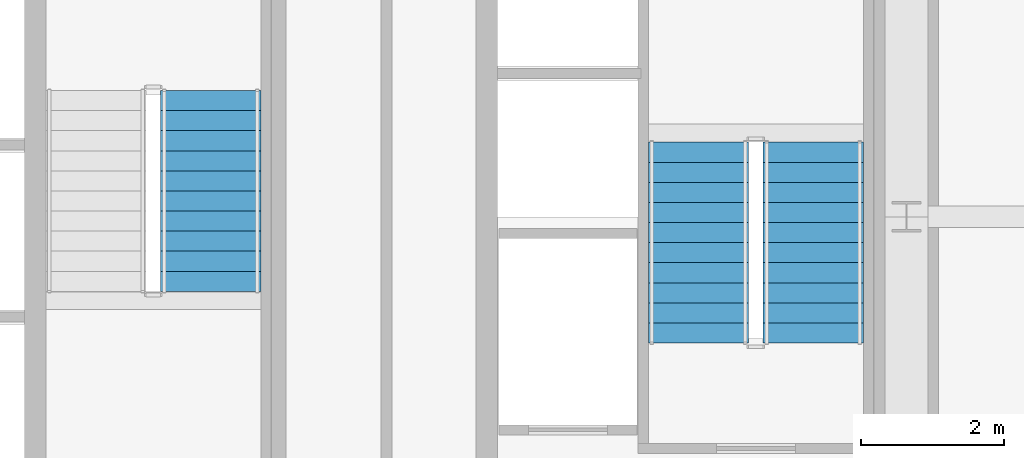
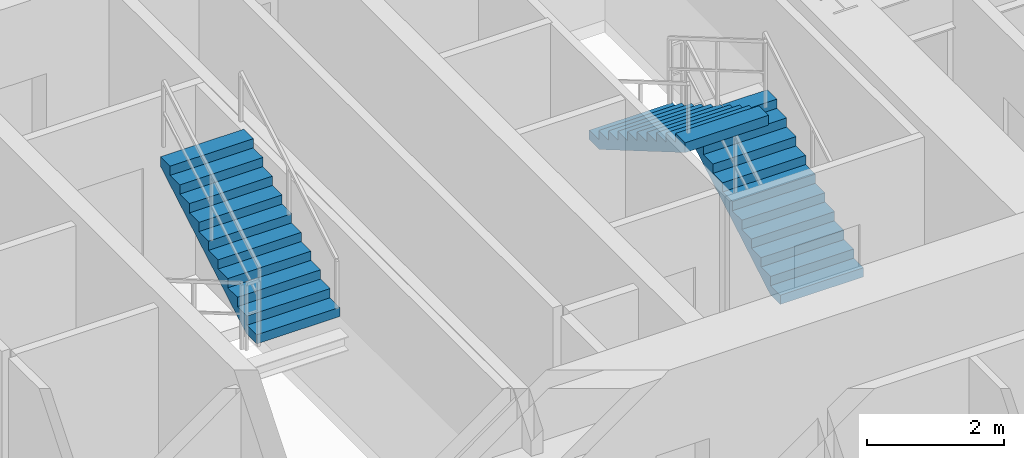
# One storey, part 45 of 46: 3 stair flights, 2 elements without a shape of their own.
"""IFC4 building model written with IfcOpenShell, lengths in metres."""

from ifc_helpers import new_model, si_unit, direction, frame, origin, place, context, subcontext, project, spatial, polyline, outline, extrude, source, transform, mapped, material, type_object, element, aggregate, save


model = new_model("IFC4")

# Units and contexts
model_context = context("Model", 3, precision=1e-05, world=origin(), true_north=direction((0.0, 1.0)))
body_context = subcontext(model_context, "Body", "Model", "MODEL_VIEW")
ifc_project = project(units=[si_unit("LENGTHUNIT", "METRE"), si_unit("AREAUNIT", "SQUARE_METRE"), si_unit("VOLUMEUNIT", "CUBIC_METRE"), si_unit("PLANEANGLEUNIT", "RADIAN"), si_unit("MASSUNIT", "GRAM", prefix="KILO"), si_unit("THERMODYNAMICTEMPERATUREUNIT", "KELVIN"), si_unit("POWERUNIT", "WATT")], contexts=[model_context])

# Site, building, storey
site_placement = place(None, origin())
site = spatial("IfcSite", under=ifc_project, at=site_placement, CompositionType="ELEMENT")
building_placement = place(site_placement, origin())
building = spatial("IfcBuilding", under=site, at=building_placement, Name="Yuzanri Waterfront Tower", CompositionType="ELEMENT")
storey_placement = place(building_placement, frame((0.0, 0.0, 56.800048828125)))
storey = spatial("IfcBuildingStorey", under=building, at=storey_placement, Name="L14", CompositionType="ELEMENT", Elevation=56.800048828125)

# Stair, stair flights
ifc_material_1 = material(Name="Concrete C40", Category="concrete")
stair_type = type_object("IfcStairType", Name="Concrete C40 Core Dogleg Exit Stair", PredefinedType="HALF_TURN_STAIR", material=ifc_material_1)
stair_1_placement = place(storey_placement, origin())
stair_1 = element("IfcStair", 1, at=stair_1_placement, inside=storey, type_object=stair_type, Name="L14 Smoke-Proof Core Stair ST-02", PredefinedType="HALF_TURN_STAIR")
ifc_material_2 = material(Name="Concrete C40", Category="concrete")
stair_flight_type = type_object("IfcStairFlightType", Name="Concrete C40 Precast Stair Flight 1380", PredefinedType="STRAIGHT", material=ifc_material_2)
shared_shape = source(origin(), body_context, "Body", "SweptSolid", [
    extrude(outline(polyline([(0.0, 0.0), (0.0, 0.16357421875), (0.280029296875, 0.16357421875), (0.280029296875, 0.327392578125), (0.56005859375, 0.327392578125), (0.56005859375, 0.490966796875), (0.840087890625, 0.490966796875), (0.840087890625, 0.654541015625), (1.1201171875, 0.654541015625), (1.1201171875, 0.818115234375), (1.39990234375, 0.818115234375), (1.39990234375, 0.98193359375), (1.679931640625, 0.98193359375), (1.679931640625, 1.1455078125), (1.9599609375, 1.1455078125), (1.9599609375, 1.30908203125), (2.239990234375, 1.30908203125), (2.239990234375, 1.47265625), (2.52001953125, 1.47265625), (2.52001953125, 1.636474609375), (2.800048828125, 1.636474609375), (2.800048828125, 1.800048828125), (2.800048828125, 1.462646484375), (0.297119140625, 0.0), (0.0, 0.0)])), frame((0.0, 0.699951171875, 0.0), z_axis=(0.0, -1.0, 0.0), x_axis=(1.0, 0.0, 0.0)), (0.0, 0.0, 1.0), 1.39990234375),
])
stair_flight_1_placement = place(storey_placement, frame((48.89990234375, 24.0400390625, 0.0), z_axis=(0.0, 0.0, 1.0), x_axis=(0.0, 1.0, 0.0)))
stair_flight_1 = element("IfcStairFlight", 2, at=stair_flight_1_placement, type_object=stair_flight_type, Name="ST-02 flight 1", NumberOfRisers=11, NumberOfTreads=10, PredefinedType="STRAIGHT", RiserHeight=0.163636364, TreadLength=0.28, context=body_context, shape_type="MappedRepresentation", body=[
    mapped(shared_shape, transform((0.0, 0.0, 0.0), scale=1.0)),
])
stair_flight_2_placement = place(storey_placement, frame((47.300048828125, 26.840087890625, 1.800048828125), z_axis=(0.0, 0.0, 1.0), x_axis=(0.0, -1.0, 0.0)))
stair_flight_2 = element("IfcStairFlight", 3, at=stair_flight_2_placement, type_object=stair_flight_type, Name="ST-02 flight 2", NumberOfRisers=11, NumberOfTreads=10, PredefinedType="STRAIGHT", RiserHeight=0.163636364, TreadLength=0.28, context=body_context, shape_type="MappedRepresentation", body=[
    mapped(shared_shape, transform((0.0, 0.0, 0.0), scale=1.0)),
])
aggregate(stair_1, [stair_flight_1, stair_flight_2])

# Stair, stair flight
stair_2_placement = place(storey_placement, origin())
stair_2 = element("IfcStair", 4, at=stair_2_placement, inside=storey, type_object=stair_type, Name="L14 Smoke-Proof Core Stair ST-03", PredefinedType="HALF_TURN_STAIR")
stair_flight_3_placement = place(storey_placement, frame((40.5, 24.760009765625, 1.800048828125), z_axis=(0.0, 0.0, 1.0), x_axis=(0.0, 1.0, 0.0)))
stair_flight_3 = element("IfcStairFlight", 5, at=stair_flight_3_placement, type_object=stair_flight_type, Name="ST-03 flight 2", NumberOfRisers=11, NumberOfTreads=10, PredefinedType="STRAIGHT", RiserHeight=0.163636364, TreadLength=0.28, context=body_context, shape_type="MappedRepresentation", body=[
    mapped(shared_shape, transform((0.0, 0.0, 0.0), scale=1.0)),
])
aggregate(stair_2, [stair_flight_3])

save(model, "model.ifc")
